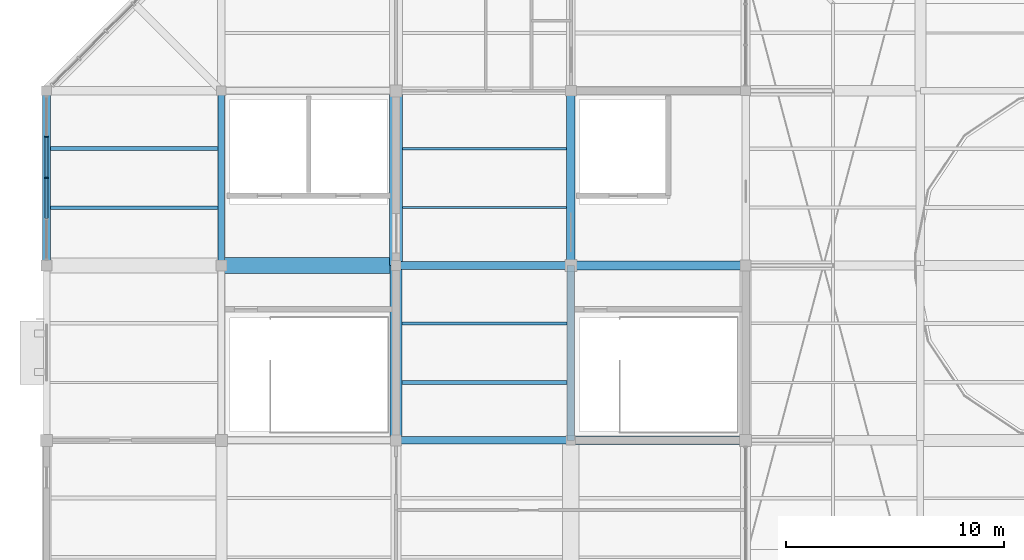
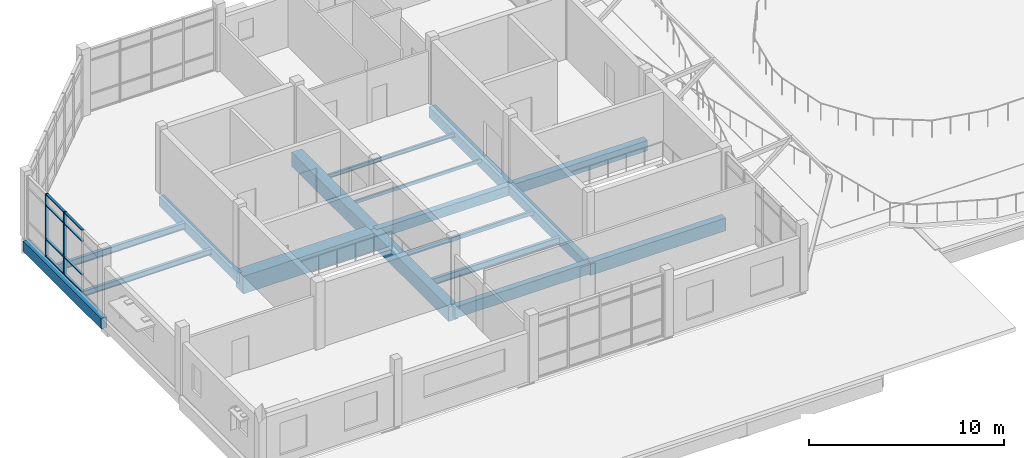
# One storey, part 13 of 44: 17 beams, 10 members, 1 element without a shape of its own.
"""IFC4 building model written with IfcOpenShell, lengths in metres."""

from ifc_helpers import new_model, si_unit, direction, frame, origin, origin_2d, place, context, subcontext, project, spatial, rectangle, hollow_rectangle, i_section, extrude, material, material_profile, profile_set, type_object, element, aggregate, save


model = new_model("IFC4")

# Units and contexts
model_context = context("Model", 3, precision=1e-05, world=origin(), true_north=direction((0.0, 1.0)))
body_context = subcontext(model_context, "Body", "Model", "MODEL_VIEW")
ifc_project = project(units=[si_unit("LENGTHUNIT", "METRE"), si_unit("AREAUNIT", "SQUARE_METRE"), si_unit("VOLUMEUNIT", "CUBIC_METRE"), si_unit("PLANEANGLEUNIT", "RADIAN"), si_unit("MASSUNIT", "GRAM", prefix="KILO")], contexts=[model_context])

# Site, building, storey
site_placement = place(None, origin())
site = spatial("IfcSite", under=ifc_project, at=site_placement, CompositionType="ELEMENT")
building_placement = place(site_placement, origin())
building = spatial("IfcBuilding", under=site, at=building_placement, Name="Tenunan Teduh Sports Hall", CompositionType="ELEMENT")
storey_placement = place(building_placement, frame((0.0, 0.0, 19.199951171875)))
storey = spatial("IfcBuildingStorey", under=building, at=storey_placement, Name="L04", CompositionType="ELEMENT", Elevation=19.199951171875)

# Beams
ifc_material_1 = material(Name="Concrete C40/50", Category="concrete")
ifc_material_profile_1 = material_profile(ifc_material_1, rectangle(XDim=0.300048828125, YDim=0.60009765625, at=origin_2d()), Name="RCB 300x600")
ifc_profile_set_1 = profile_set([ifc_material_profile_1], Name="Concrete C40/50")
beam_type_1 = type_object("IfcBeamType", Name="BM-RC-300x600", PredefinedType="BEAM", material=ifc_profile_set_1)
beam_1_placement = place(storey_placement, frame((14.0, 102.0, -0.570068359375), z_axis=(0.0, 1.0, 0.0), x_axis=(-1.0, 0.0, 0.0)))
element("IfcBeam", 1, at=beam_1_placement, inside=storey, type_object=beam_type_1, Name="BM-B-03-L04-2075", PredefinedType="BEAM", context=body_context, shape_type="SweptSolid", body=[
    extrude(rectangle(XDim=0.300048828125, YDim=0.60009765625, at=origin_2d()), origin(), (0.0, 0.0, 1.0), 8.0),
])
ifc_material_2 = material(Name="Concrete C40/50", Category="concrete")
ifc_material_profile_2 = material_profile(ifc_material_2, rectangle(XDim=0.35009765625, YDim=0.60009765625, at=origin_2d()), Name="RCB 350x600")
ifc_profile_set_2 = profile_set([ifc_material_profile_2], Name="Concrete C40/50")
beam_type_2 = type_object("IfcBeamType", Name="BM-RC-350x600", PredefinedType="BEAM", material=ifc_profile_set_2)
for number, where, z_axis, x_axis, name in (
    (2, (22.0, 102.0, -0.570068359375), (1.0, 0.0, 0.0), (0.0, 1.0, 0.0), "BM-B-04-L04-2043"),
    (3, (30.0, 94.0, -0.570068359375), (0.0, 1.0, 0.0), (-1.0, 0.0, 0.0), "BM-B-04-L04-2084"),
):
    element("IfcBeam", number, at=place(storey_placement, frame(where, z_axis=z_axis, x_axis=x_axis)), inside=storey, type_object=beam_type_2, Name=name, PredefinedType="BEAM", context=body_context, shape_type="SweptSolid", body=[
        extrude(rectangle(XDim=0.35009765625, YDim=0.60009765625, at=origin_2d()), origin(), (0.0, 0.0, 1.0), 8.0),
    ])
ifc_material_3 = material(Name="Concrete C40/50", Category="concrete")
ifc_material_profile_3 = material_profile(ifc_material_3, rectangle(XDim=0.35009765625, YDim=0.64990234375, at=origin_2d()), Name="RCB 350x650")
ifc_profile_set_3 = profile_set([ifc_material_profile_3], Name="Concrete C40/50")
beam_type_3 = type_object("IfcBeamType", Name="BM-RC-350x650", PredefinedType="BEAM", material=ifc_profile_set_3)
beam_2_placement = place(storey_placement, frame((6.0, 102.0, -0.594970703125), z_axis=(0.0, 1.0, 0.0), x_axis=(-1.0, 0.0, 0.0)))
element("IfcBeam", 4, at=beam_2_placement, inside=storey, type_object=beam_type_3, Name="BM-B-05-L04-2071", PredefinedType="BEAM", context=body_context, shape_type="SweptSolid", body=[
    extrude(rectangle(XDim=0.35009765625, YDim=0.64990234375, at=origin_2d()), origin(), (0.0, 0.0, 1.0), 8.0),
])
ifc_material_4 = material(Name="Concrete C40/50", Category="concrete")
ifc_material_profile_4 = material_profile(ifc_material_4, rectangle(XDim=0.35009765625, YDim=0.699951171875, at=origin_2d()), Name="RCB 350x700")
ifc_profile_set_4 = profile_set([ifc_material_profile_4], Name="Concrete C40/50")
beam_type_4 = type_object("IfcBeamType", Name="BM-RC-350x700", PredefinedType="BEAM", material=ifc_profile_set_4)
beam_3_placement = place(storey_placement, frame((22.0, 94.0, -0.619873046875), z_axis=(1.0, 0.0, 0.0), x_axis=(0.0, 1.0, 0.0)))
element("IfcBeam", 5, at=beam_3_placement, inside=storey, type_object=beam_type_4, Name="BM-B-06-L04-2035", PredefinedType="BEAM", context=body_context, shape_type="SweptSolid", body=[
    extrude(rectangle(XDim=0.35009765625, YDim=0.699951171875, at=origin_2d()), origin(), (0.0, 0.0, 1.0), 8.0),
])
ifc_material_5 = material(Name="Concrete C40/50", Category="concrete")
ifc_material_profile_5 = material_profile(ifc_material_5, rectangle(XDim=0.39990234375, YDim=0.64990234375, at=origin_2d()), Name="RCB 400x650")
ifc_profile_set_5 = profile_set([ifc_material_profile_5], Name="Concrete C40/50")
beam_type_5 = type_object("IfcBeamType", Name="BM-RC-400x650", PredefinedType="BEAM", material=ifc_profile_set_5)
for number, where, z_axis, x_axis, name in (
    (6, (30.0, 102.0, -0.594970703125), (1.0, 0.0, 0.0), (0.0, 1.0, 0.0), "BM-B-07-L04-2044"),
    (7, (30.0, 102.0, -0.594970703125), (0.0, 1.0, 0.0), (-1.0, 0.0, 0.0), "BM-B-07-L04-2085"),
):
    element("IfcBeam", number, at=place(storey_placement, frame(where, z_axis=z_axis, x_axis=x_axis)), inside=storey, type_object=beam_type_5, Name=name, PredefinedType="BEAM", context=body_context, shape_type="SweptSolid", body=[
        extrude(rectangle(XDim=0.39990234375, YDim=0.64990234375, at=origin_2d()), origin(), (0.0, 0.0, 1.0), 8.0),
    ])
ifc_material_6 = material(Name="Concrete C40/50", Category="concrete")
ifc_material_profile_6 = material_profile(ifc_material_6, rectangle(XDim=0.39990234375, YDim=0.800048828125, at=origin_2d()), Name="RCB 400x800")
ifc_profile_set_6 = profile_set([ifc_material_profile_6], Name="Concrete C40/50")
beam_type_6 = type_object("IfcBeamType", Name="BM-RC-400x800", PredefinedType="BEAM", material=ifc_profile_set_6)
beam_4_placement = place(storey_placement, frame((30.0, 94.0, -0.669921875), z_axis=(1.0, 0.0, 0.0), x_axis=(0.0, 1.0, 0.0)))
element("IfcBeam", 8, at=beam_4_placement, inside=storey, type_object=beam_type_6, Name="BM-B-10-L04-2036", PredefinedType="BEAM", context=body_context, shape_type="SweptSolid", body=[
    extrude(rectangle(XDim=0.39990234375, YDim=0.800048828125, at=origin_2d()), origin(), (0.0, 0.0, 1.0), 8.0),
])
ifc_material_7 = material(Name="Concrete C40/50", Category="concrete")
ifc_material_profile_7 = material_profile(ifc_material_7, rectangle(XDim=0.550048828125, YDim=0.89990234375, at=origin_2d()), Name="RCB 550x900")
ifc_profile_set_7 = profile_set([ifc_material_profile_7], Name="Concrete C40/50")
beam_type_7 = type_object("IfcBeamType", Name="BM-RC-550x900", PredefinedType="BEAM", material=ifc_profile_set_7)
beam_5_placement = place(storey_placement, frame((22.0, 94.0, -0.719970703125), z_axis=(0.0, 1.0, 0.0), x_axis=(-1.0, 0.0, 0.0)))
element("IfcBeam", 9, at=beam_5_placement, inside=storey, type_object=beam_type_7, Name="BM-B-16-L04-2079", PredefinedType="BEAM", context=body_context, shape_type="SweptSolid", body=[
    extrude(rectangle(XDim=0.550048828125, YDim=0.89990234375, at=origin_2d()), origin(), (0.0, 0.0, 1.0), 8.0),
])
ifc_material_8 = material(Name="Concrete C40/50", Category="concrete")
ifc_material_profile_8 = material_profile(ifc_material_8, rectangle(XDim=0.60009765625, YDim=0.89990234375, at=origin_2d()), Name="RCB 600x900")
ifc_profile_set_8 = profile_set([ifc_material_profile_8], Name="Concrete C40/50")
beam_type_8 = type_object("IfcBeamType", Name="BM-RC-600x900", PredefinedType="BEAM", material=ifc_profile_set_8)
beam_6_placement = place(storey_placement, frame((22.0, 102.0, -0.719970703125), z_axis=(0.0, 1.0, 0.0), x_axis=(-1.0, 0.0, 0.0)))
element("IfcBeam", 10, at=beam_6_placement, inside=storey, type_object=beam_type_8, Name="BM-B-17-L04-2080", PredefinedType="BEAM", context=body_context, shape_type="SweptSolid", body=[
    extrude(rectangle(XDim=0.60009765625, YDim=0.89990234375, at=origin_2d()), origin(), (0.0, 0.0, 1.0), 8.0),
])
ifc_material_9 = material(Name="Concrete C40/50", Category="concrete")
ifc_material_profile_9 = material_profile(ifc_material_9, rectangle(XDim=0.75, YDim=1.10009765625, at=origin_2d()), Name="RCB 750x1100")
ifc_profile_set_9 = profile_set([ifc_material_profile_9], Name="Concrete C40/50")
beam_type_9 = type_object("IfcBeamType", Name="BM-RC-750x1100", PredefinedType="SPANDREL", material=ifc_profile_set_9)
beam_7_placement = place(storey_placement, frame((14.0, 102.0, -0.820068359375), z_axis=(1.0, 0.0, 0.0), x_axis=(0.0, 1.0, 0.0)))
element("IfcBeam", 11, at=beam_7_placement, inside=storey, type_object=beam_type_9, Name="BM-B-20-L04-2042", PredefinedType="SPANDREL", context=body_context, shape_type="SweptSolid", body=[
    extrude(rectangle(XDim=0.75, YDim=1.10009765625, at=origin_2d()), origin(), (0.0, 0.0, 1.0), 8.0),
])

# Curtain wall, members
ifc_material_10 = material(Name="Anodised aluminium", Category="aluminium")
curtain_wall_type = type_object("IfcCurtainWallType", Name="CW-UNIT-2", PredefinedType="NOTDEFINED", material=ifc_material_10)
curtain_wall_placement = place(storey_placement, origin())
curtain_wall = element("IfcCurtainWall", 12, at=curtain_wall_placement, inside=storey, type_object=curtain_wall_type, Name="CW-CWM-175-L04-234", PredefinedType="NOTDEFINED")
ifc_material_11 = material(Name="Anodised aluminium", Category="aluminium")
ifc_material_profile_10 = material_profile(ifc_material_11, rectangle(XDim=0.06494140625, YDim=0.175048828125, at=origin_2d()), Name="CWM 65x175")
ifc_profile_set_10 = profile_set([ifc_material_profile_10], Name="Anodised aluminium")
member_type_1 = type_object("IfcMemberType", Name="CWM-175", PredefinedType="MULLION", material=ifc_profile_set_10)
member_1_placement = place(storey_placement, frame((6.0, 106.012451171875, 0.0), z_axis=(0.0, 0.0, 1.0), x_axis=(0.0, 1.0, 0.0)))
member_1 = element("IfcMember", 13, at=member_1_placement, type_object=member_type_1, Name="CW-02 mullion 3", PredefinedType="MULLION", context=body_context, shape_type="SweptSolid", body=[
    extrude(rectangle(XDim=0.06494140625, YDim=0.175048828125, at=origin_2d()), origin(), (0.0, 0.0, 1.0), 3.920166015625),
])
member_2_placement = place(storey_placement, frame((6.0, 107.893798828125, 0.0), z_axis=(0.0, 0.0, 1.0), x_axis=(0.0, 1.0, 0.0)))
member_2 = element("IfcMember", 14, at=member_2_placement, type_object=member_type_1, Name="CW-02 mullion 4", PredefinedType="MULLION", context=body_context, shape_type="SweptSolid", body=[
    extrude(rectangle(XDim=0.06494140625, YDim=0.175048828125, at=origin_2d()), origin(), (0.0, 0.0, 1.0), 3.920166015625),
])
ifc_material_12 = material(Name="Anodised aluminium", Category="aluminium")
ifc_material_profile_11 = material_profile(ifc_material_12, rectangle(XDim=0.06494140625, YDim=0.139892578125, at=origin_2d()), Name="CWT 65x140")
ifc_profile_set_11 = profile_set([ifc_material_profile_11], Name="Anodised aluminium")
member_type_2 = type_object("IfcMemberType", Name="CWT-150", PredefinedType="USERDEFINED", material=ifc_profile_set_11)
member_3_placement = place(storey_placement, frame((6.0, 104.163818359375, 0.032470703125), z_axis=(0.0, 1.0, 0.0), x_axis=(0.0, 0.0, 1.0)))
member_3 = element("IfcMember", 15, at=member_3_placement, type_object=member_type_2, Name="CW-02 transom 2.1", ObjectType="TRANSOM", PredefinedType="USERDEFINED", context=body_context, shape_type="SweptSolid", body=[
    extrude(rectangle(XDim=0.06494140625, YDim=0.139892578125, at=origin_2d()), origin(), (0.0, 0.0, 1.0), 1.816162109375),
])
member_4_placement = place(storey_placement, frame((6.0, 104.163818359375, 1.10009765625), z_axis=(0.0, 1.0, 0.0), x_axis=(0.0, 0.0, 1.0)))
member_4 = element("IfcMember", 16, at=member_4_placement, type_object=member_type_2, Name="CW-02 transom 2.2", ObjectType="TRANSOM", PredefinedType="USERDEFINED", context=body_context, shape_type="SweptSolid", body=[
    extrude(rectangle(XDim=0.06494140625, YDim=0.139892578125, at=origin_2d()), origin(), (0.0, 0.0, 1.0), 1.816162109375),
])
member_5_placement = place(storey_placement, frame((6.0, 104.163818359375, 3.199951171875), z_axis=(0.0, 1.0, 0.0), x_axis=(0.0, 0.0, 1.0)))
member_5 = element("IfcMember", 17, at=member_5_placement, type_object=member_type_2, Name="CW-02 transom 2.3", ObjectType="TRANSOM", PredefinedType="USERDEFINED", context=body_context, shape_type="SweptSolid", body=[
    extrude(rectangle(XDim=0.06494140625, YDim=0.139892578125, at=origin_2d()), origin(), (0.0, 0.0, 1.0), 1.816162109375),
])
member_6_placement = place(storey_placement, frame((6.0, 104.163818359375, 3.887451171875), z_axis=(0.0, 1.0, 0.0), x_axis=(0.0, 0.0, 1.0)))
member_6 = element("IfcMember", 18, at=member_6_placement, type_object=member_type_2, Name="CW-02 transom 2.4", ObjectType="TRANSOM", PredefinedType="USERDEFINED", context=body_context, shape_type="SweptSolid", body=[
    extrude(rectangle(XDim=0.06494140625, YDim=0.139892578125, at=origin_2d()), origin(), (0.0, 0.0, 1.0), 1.816162109375),
])
member_7_placement = place(storey_placement, frame((6.0, 106.044921875, 0.032470703125), z_axis=(0.0, 1.0, 0.0), x_axis=(0.0, 0.0, 1.0)))
member_7 = element("IfcMember", 19, at=member_7_placement, type_object=member_type_2, Name="CW-02 transom 3.1", ObjectType="TRANSOM", PredefinedType="USERDEFINED", context=body_context, shape_type="SweptSolid", body=[
    extrude(rectangle(XDim=0.06494140625, YDim=0.139892578125, at=origin_2d()), origin(), (0.0, 0.0, 1.0), 1.81640625),
])
member_8_placement = place(storey_placement, frame((6.0, 106.044921875, 1.10009765625), z_axis=(0.0, 1.0, 0.0), x_axis=(0.0, 0.0, 1.0)))
member_8 = element("IfcMember", 20, at=member_8_placement, type_object=member_type_2, Name="CW-02 transom 3.2", ObjectType="TRANSOM", PredefinedType="USERDEFINED", context=body_context, shape_type="SweptSolid", body=[
    extrude(rectangle(XDim=0.06494140625, YDim=0.139892578125, at=origin_2d()), origin(), (0.0, 0.0, 1.0), 1.81640625),
])
member_9_placement = place(storey_placement, frame((6.0, 106.044921875, 3.199951171875), z_axis=(0.0, 1.0, 0.0), x_axis=(0.0, 0.0, 1.0)))
member_9 = element("IfcMember", 21, at=member_9_placement, type_object=member_type_2, Name="CW-02 transom 3.3", ObjectType="TRANSOM", PredefinedType="USERDEFINED", context=body_context, shape_type="SweptSolid", body=[
    extrude(rectangle(XDim=0.06494140625, YDim=0.139892578125, at=origin_2d()), origin(), (0.0, 0.0, 1.0), 1.81640625),
])
member_10_placement = place(storey_placement, frame((6.0, 106.044921875, 3.887451171875), z_axis=(0.0, 1.0, 0.0), x_axis=(0.0, 0.0, 1.0)))
member_10 = element("IfcMember", 22, at=member_10_placement, type_object=member_type_2, Name="CW-02 transom 3.4", ObjectType="TRANSOM", PredefinedType="USERDEFINED", context=body_context, shape_type="SweptSolid", body=[
    extrude(rectangle(XDim=0.06494140625, YDim=0.139892578125, at=origin_2d()), origin(), (0.0, 0.0, 1.0), 1.81640625),
])
aggregate(curtain_wall, [member_1, member_2, member_3, member_4, member_5, member_6, member_7, member_8, member_9, member_10])

# Beams
ifc_material_13 = material(Name="Steel S355", Category="steel")
ifc_material_profile_12 = material_profile(ifc_material_13, i_section(OverallWidth=0.1201171875, OverallDepth=0.239990234375, WebThickness=0.006103515625, FlangeThickness=0.009765625, FilletRadius=0.014892578125, at=origin_2d()), Name="IPE 240")
ifc_profile_set_12 = profile_set([ifc_material_profile_12], Name="Steel S355")
beam_type_10 = type_object("IfcBeamType", Name="JST-IPE240", PredefinedType="JOIST", material=ifc_profile_set_12)
beam_8_placement = place(storey_placement, frame((22.300048828125, 107.35009765625, -0.389892578125), z_axis=(1.0, 0.0, 0.0), x_axis=(0.0, 1.0, 0.0)))
element("IfcBeam", 23, at=beam_8_placement, inside=storey, type_object=beam_type_10, Name="BM-J-02-L04-2131", PredefinedType="JOIST", context=body_context, shape_type="SweptSolid", body=[
    extrude(i_section(OverallWidth=0.1201171875, OverallDepth=0.239990234375, WebThickness=0.006103515625, FlangeThickness=0.009765625, FilletRadius=0.014892578125, at=origin_2d()), origin(), (0.0, 0.0, 1.0), 7.5),
])
ifc_material_14 = material(Name="Steel S355", Category="steel")
ifc_material_profile_13 = material_profile(ifc_material_14, hollow_rectangle(XDim=0.10009765625, YDim=0.199951171875, WallThickness=0.008056640625, at=origin_2d()), Name="RHS 200x100x8.0")
ifc_profile_set_13 = profile_set([ifc_material_profile_13], Name="Steel S355")
beam_type_11 = type_object("IfcBeamType", Name="RBM-RHS200", PredefinedType="JOIST", material=ifc_profile_set_13)
beam_9_placement = place(storey_placement, frame((22.300048828125, 104.64990234375, -0.369873046875), z_axis=(1.0, 0.0, 0.0), x_axis=(0.0, 1.0, 0.0)))
element("IfcBeam", 24, at=beam_9_placement, inside=storey, type_object=beam_type_11, Name="Perimeter Ring Beam BM-RB-05-L04-2130", PredefinedType="JOIST", context=body_context, shape_type="SweptSolid", body=[
    extrude(hollow_rectangle(XDim=0.10009765625, YDim=0.199951171875, WallThickness=0.008056640625, at=origin_2d()), origin(), (0.0, 0.0, 1.0), 7.5),
])
ifc_material_15 = material(Name="Steel S355", Category="steel")
ifc_material_profile_14 = material_profile(ifc_material_15, hollow_rectangle(XDim=0.14990234375, YDim=0.25, WallThickness=0.010009765625, at=origin_2d()), Name="RHS 250x150x10.0")
ifc_profile_set_14 = profile_set([ifc_material_profile_14], Name="Steel S355")
beam_type_12 = type_object("IfcBeamType", Name="RBM-RHS250", PredefinedType="BEAM", material=ifc_profile_set_14)
beam_10_placement = place(storey_placement, frame((22.27490234375, 99.35009765625, -0.39501953125), z_axis=(1.0, 0.0, 0.0), x_axis=(0.0, 1.0, 0.0)))
element("IfcBeam", 25, at=beam_10_placement, inside=storey, type_object=beam_type_12, Name="Perimeter Ring Beam BM-RB-04-L04-2129", PredefinedType="BEAM", context=body_context, shape_type="SweptSolid", body=[
    extrude(hollow_rectangle(XDim=0.14990234375, YDim=0.25, WallThickness=0.010009765625, at=origin_2d()), origin(), (0.0, 0.0, 1.0), 7.550048828125),
])
ifc_material_16 = material(Name="Steel S355", Category="steel")
ifc_material_profile_15 = material_profile(ifc_material_16, i_section(OverallWidth=0.17138671875, OverallDepth=0.35498046875, WebThickness=0.00732421875, FlangeThickness=0.011474609375, FilletRadius=0.01025390625, at=origin_2d()), Name="UKB 356x171x51")
ifc_profile_set_15 = profile_set([ifc_material_profile_15], Name="Steel S355")
beam_type_13 = type_object("IfcBeamType", Name="SBM-UKB356", PredefinedType="BEAM", material=ifc_profile_set_15)
beam_11_placement = place(storey_placement, frame((6.175048828125, 104.64990234375, -0.447509765625), z_axis=(1.0, 0.0, 0.0), x_axis=(0.0, 1.0, 0.0)))
element("IfcBeam", 26, at=beam_11_placement, inside=storey, type_object=beam_type_13, Name="BM-SB-02-L04-2116", PredefinedType="BEAM", context=body_context, shape_type="SweptSolid", body=[
    extrude(i_section(OverallWidth=0.17138671875, OverallDepth=0.35498046875, WebThickness=0.00732421875, FlangeThickness=0.011474609375, FilletRadius=0.01025390625, at=origin_2d()), origin(), (0.0, 0.0, 1.0), 7.675048828125),
])
ifc_material_17 = material(Name="Steel S355", Category="steel")
ifc_material_profile_16 = material_profile(ifc_material_17, i_section(OverallWidth=0.177978515625, OverallDepth=0.406494140625, WebThickness=0.0078125, FlangeThickness=0.0126953125, FilletRadius=0.01025390625, at=origin_2d()), Name="UKB 406x178x60")
ifc_profile_set_16 = profile_set([ifc_material_profile_16], Name="Steel S355")
beam_type_14 = type_object("IfcBeamType", Name="SBM-UKB406", PredefinedType="BEAM", material=ifc_profile_set_16)
beam_12_placement = place(storey_placement, frame((6.175048828125, 107.35009765625, -0.47314453125), z_axis=(1.0, 0.0, 0.0), x_axis=(0.0, 1.0, 0.0)))
element("IfcBeam", 27, at=beam_12_placement, inside=storey, type_object=beam_type_14, Name="BM-SB-03-L04-2117", PredefinedType="BEAM", context=body_context, shape_type="SweptSolid", body=[
    extrude(i_section(OverallWidth=0.177978515625, OverallDepth=0.406494140625, WebThickness=0.0078125, FlangeThickness=0.0126953125, FilletRadius=0.01025390625, at=origin_2d()), origin(), (0.0, 0.0, 1.0), 7.675048828125),
])
beam_13_placement = place(storey_placement, frame((22.27490234375, 96.64990234375, -0.47314453125), z_axis=(1.0, 0.0, 0.0), x_axis=(0.0, 1.0, 0.0)))
element("IfcBeam", 28, at=beam_13_placement, inside=storey, type_object=beam_type_14, Name="BM-SB-03-L04-2128", PredefinedType="BEAM", context=body_context, shape_type="SweptSolid", body=[
    extrude(i_section(OverallWidth=0.177978515625, OverallDepth=0.406494140625, WebThickness=0.0078125, FlangeThickness=0.0126953125, FilletRadius=0.01025390625, at=origin_2d()), origin(), (0.0, 0.0, 1.0), 7.550048828125),
])

save(model, "model.ifc")
